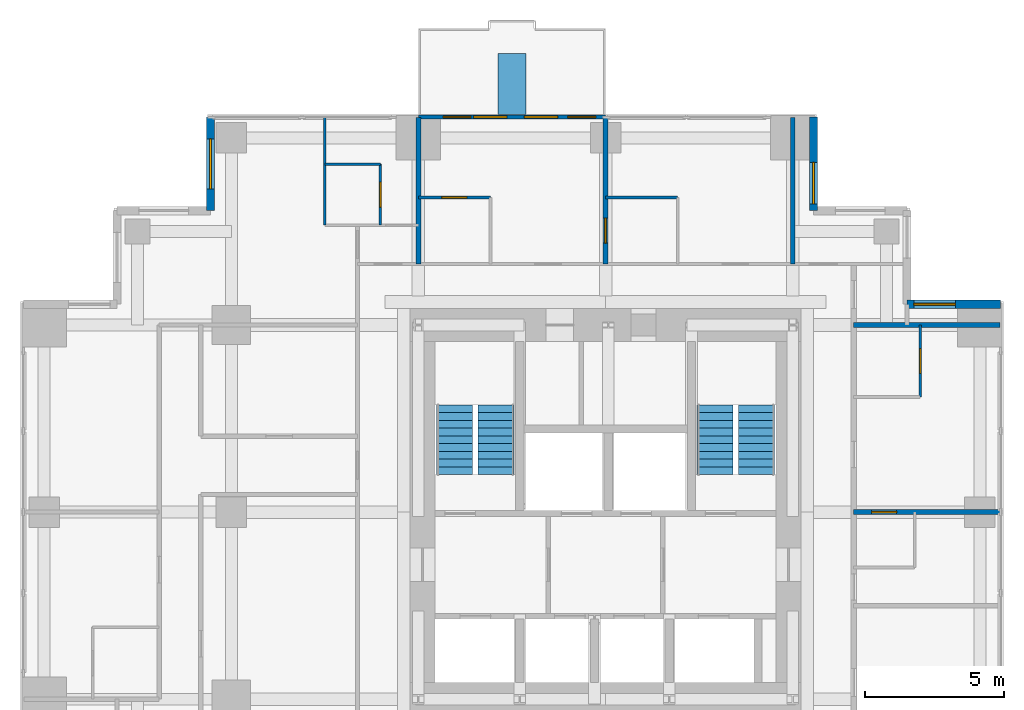
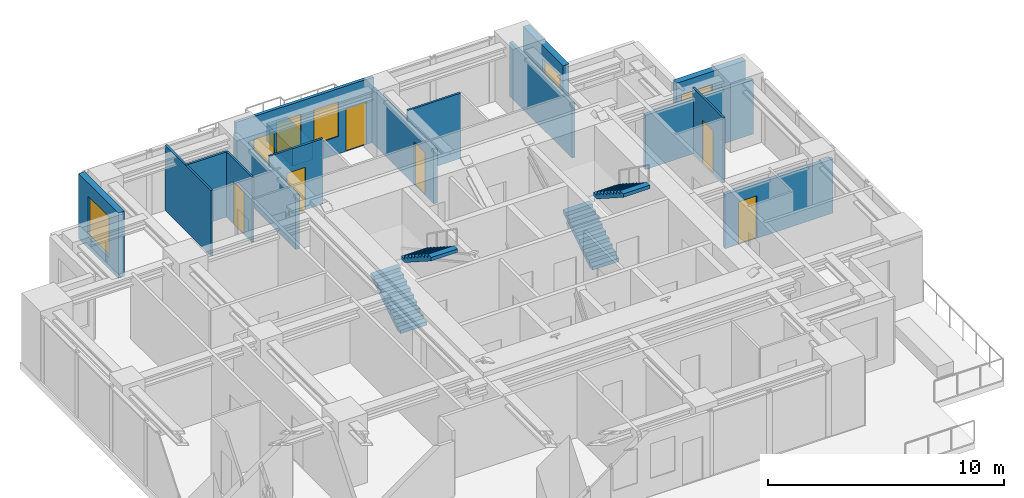
# One storey, part 6 of 7: 16 walls, 7 doors, 5 windows, 4 stair flights, 12 openings, 2 elements without a shape of their own.
"""IFC4 building model written with IfcOpenShell, lengths in metres."""

from ifc_helpers import new_model, si_unit, direction, frame, frame_2d, origin, place, context, subcontext, project, spatial, polyline, rectangle, outline, extrude, material, layer, layer_set, type_object, element, fill, aggregate, save


model = new_model("IFC4")

# Units and contexts
model_context = context("Model", 3, precision=1e-05, world=origin(), true_north=direction((0.0, 1.0)))
body_context = subcontext(model_context, "Body", "Model", "MODEL_VIEW")
ifc_project = project(units=[si_unit("LENGTHUNIT", "METRE"), si_unit("AREAUNIT", "SQUARE_METRE"), si_unit("VOLUMEUNIT", "CUBIC_METRE"), si_unit("PLANEANGLEUNIT", "RADIAN"), si_unit("MASSUNIT", "GRAM", prefix="KILO")], contexts=[model_context])

# Site, building, storey
site_placement = place(None, origin())
site = spatial("IfcSite", under=ifc_project, at=site_placement, CompositionType="ELEMENT")
building_placement = place(site_placement, origin())
building = spatial("IfcBuilding", under=site, at=building_placement, Name="Nyansa Garden Tower", CompositionType="ELEMENT")
storey_placement = place(building_placement, frame((0.0, 0.0, 204.300048828125)))
storey = spatial("IfcBuildingStorey", under=building, at=storey_placement, Name="L55", CompositionType="ELEMENT", Elevation=204.300048828125)

# Wall
ifc_material_1 = material(Name="Dense blockwork, plastered both sides, 55 dB", Category="masonry")
ifc_layer_1 = layer(ifc_material_1, 0.175048828125)
ifc_layer_set_1 = layer_set([ifc_layer_1], Name="Acoustic party wall PW175")
wall_type_1 = type_object("IfcWallType", Name="Acoustic party wall PW175", PredefinedType="PARTITIONING", material=ifc_layer_set_1)
wall_1_placement = place(storey_placement, frame((13.5, 29.199951171875, 0.0), z_axis=(0.0, 0.0, 1.0), x_axis=(0.0, 1.0, 0.0)))
element("IfcWall", 1, at=wall_1_placement, inside=storey, type_object=wall_type_1, Name="Party wall", PredefinedType="PARTITIONING", context=body_context, shape_type="SweptSolid", body=[
    extrude(rectangle(XDim=5.283935546875, YDim=0.175048828125, at=frame_2d((2.64208984375, 0.0))), origin(), (0.0, 0.0, 1.0), 2.805908203125),
])

# Wall, opening, door
wall_2_placement = place(storey_placement, frame((20.25, 29.199951171875, 0.0), z_axis=(0.0, 0.0, 1.0), x_axis=(0.0, 1.0, 0.0)))
wall_2 = element("IfcWall", 2, at=wall_2_placement, inside=storey, type_object=wall_type_1, Name="Party wall", PredefinedType="PARTITIONING", context=body_context, shape_type="SweptSolid", body=[
    extrude(rectangle(XDim=5.283935546875, YDim=0.175048828125, at=frame_2d((2.64208984375, 0.0))), origin(), (0.0, 0.0, 1.0), 2.805908203125),
])
opening_1_placement = place(wall_2_placement, frame((0.75, 0.0, 0.0)))
opening_1 = element("IfcOpeningElement", 3, at=opening_1_placement, cuts=wall_2, Name="Opening D02", PredefinedType="OPENING", context=body_context, shape_type="SweptSolid", body=[
    extrude(rectangle(XDim=0.89990234375, YDim=2.199951171875, at=frame_2d((0.449951171875, 1.10009765625))), frame((0.0, 0.097412109375, 0.0), z_axis=(0.0, -1.0, 0.0), x_axis=(1.0, 0.0, 0.0)), (0.0, 0.0, 1.0), 0.195068359375),
])
ifc_material_2 = material(Name="Timber flush door", Category="wood")
door_type_1 = type_object("IfcDoorType", Name="En-suite door D02 900x2200", OperationType="SINGLE_SWING_RIGHT", PredefinedType="DOOR", material=ifc_material_2)
door_1_placement = place(opening_1_placement, origin())
door_1 = element("IfcDoor", 4, at=door_1_placement, inside=storey, type_object=door_type_1, Name="Door L55-033", OperationType="SINGLE_SWING_RIGHT", OverallHeight=2.199951171875, OverallWidth=0.89990234375, PredefinedType="DOOR", context=body_context, shape_type="SweptSolid", body=[
    extrude(rectangle(XDim=0.89990234375, YDim=2.199951171875, at=frame_2d((0.449951171875, 1.10009765625))), frame((0.0, 0.02490234375, 0.0), z_axis=(0.0, -1.0, 0.0), x_axis=(1.0, 0.0, 0.0)), (0.0, 0.0, 1.0), 0.050048828125),
])
fill(opening_1, door_1)

wall_3_placement = place(storey_placement, frame((29.199951171875, 20.25, 0.0), z_axis=(0.0, 0.0, 1.0), x_axis=(1.0, 0.0, 0.0)))
wall_3 = element("IfcWall", 5, at=wall_3_placement, inside=storey, type_object=wall_type_1, Name="Party wall", PredefinedType="PARTITIONING", context=body_context, shape_type="SweptSolid", body=[
    extrude(rectangle(XDim=5.283935546875, YDim=0.175048828125, at=frame_2d((2.64208984375, 0.0))), origin(), (0.0, 0.0, 1.0), 2.805908203125),
])
opening_2_placement = place(wall_3_placement, frame((0.64990234375, 0.0, 0.0)))
opening_2 = element("IfcOpeningElement", 6, at=opening_2_placement, cuts=wall_3, Name="Opening D02", PredefinedType="OPENING", context=body_context, shape_type="SweptSolid", body=[
    extrude(rectangle(XDim=0.89990234375, YDim=2.199951171875, at=frame_2d((0.449951171875, 1.10009765625))), frame((0.0, 0.097412109375, 0.0), z_axis=(0.0, -1.0, 0.0), x_axis=(1.0, 0.0, 0.0)), (0.0, 0.0, 1.0), 0.195068359375),
])
door_2_placement = place(opening_2_placement, origin())
door_2 = element("IfcDoor", 7, at=door_2_placement, inside=storey, type_object=door_type_1, Name="Door L55-027", OperationType="SINGLE_SWING_RIGHT", OverallHeight=2.199951171875, OverallWidth=0.89990234375, PredefinedType="DOOR", context=body_context, shape_type="SweptSolid", body=[
    extrude(rectangle(XDim=0.89990234375, YDim=2.199951171875, at=frame_2d((0.449951171875, 1.10009765625))), frame((0.0, 0.02490234375, 0.0), z_axis=(0.0, -1.0, 0.0), x_axis=(1.0, 0.0, 0.0)), (0.0, 0.0, 1.0), 0.050048828125),
])
fill(opening_2, door_2)

# Wall
wall_4_placement = place(storey_placement, frame((29.199951171875, 27.0, 0.0), z_axis=(0.0, 0.0, 1.0), x_axis=(1.0, 0.0, 0.0)))
element("IfcWall", 8, at=wall_4_placement, inside=storey, type_object=wall_type_1, Name="Party wall", PredefinedType="PARTITIONING", context=body_context, shape_type="SweptSolid", body=[
    extrude(rectangle(XDim=5.283935546875, YDim=0.175048828125, at=frame_2d((2.64208984375, 0.0))), origin(), (0.0, 0.0, 1.0), 2.805908203125),
])

# Wall, openings, doors, windows
ifc_material_3 = material(Name="Black aluminium framed glazed screen", Category="aluminium")
ifc_layer_2 = layer(ifc_material_3, 0.14990234375)
ifc_layer_set_2 = layer_set([ifc_layer_2], Name="Balcony screen wall BW150")
wall_type_2 = type_object("IfcWallType", Name="Balcony screen wall BW150", PredefinedType="SOLIDWALL", material=ifc_layer_set_2)
wall_5_placement = place(storey_placement, frame((13.5, 34.5, 0.0), z_axis=(0.0, 0.0, 1.0), x_axis=(1.0, 0.0, 0.0)))
wall_5 = element("IfcWall", 9, at=wall_5_placement, inside=storey, type_object=wall_type_2, Name="Glazed screen wall L55 N", PredefinedType="SOLIDWALL", context=body_context, shape_type="SweptSolid", body=[
    extrude(rectangle(XDim=6.75, YDim=0.14990234375, at=frame_2d((3.375, 0.0))), origin(), (0.0, 0.0, 1.0), 3.375),
])
opening_3_placement = place(wall_5_placement, frame((0.895751953125, 0.0, 0.0)))
opening_3 = element("IfcOpeningElement", 10, at=opening_3_placement, cuts=wall_5, Name="Opening D20", PredefinedType="OPENING", context=body_context, shape_type="SweptSolid", body=[
    extrude(rectangle(XDim=1.0, YDim=2.199951171875, at=frame_2d((0.5, 1.10009765625))), frame((0.0, 0.0849609375, 0.0), z_axis=(0.0, -1.0, 0.0), x_axis=(1.0, 0.0, 0.0)), (0.0, 0.0, 1.0), 0.169921875),
])
opening_4_placement = place(wall_5_placement, frame((1.99169921875, 0.0, 0.89990234375)))
opening_4 = element("IfcOpeningElement", 11, at=opening_4_placement, cuts=wall_5, Name="Opening W6", PredefinedType="OPENING", context=body_context, shape_type="SweptSolid", body=[
    extrude(rectangle(XDim=1.199951171875, YDim=1.800048828125, at=frame_2d((0.60009765625, 0.89990234375))), frame((0.0, 0.0849609375, 0.0), z_axis=(0.0, -1.0, 0.0), x_axis=(1.0, 0.0, 0.0)), (0.0, 0.0, 1.0), 0.169921875),
])
opening_5_placement = place(wall_5_placement, frame((5.387451171875, 0.0, 0.0)))
opening_5 = element("IfcOpeningElement", 12, at=opening_5_placement, cuts=wall_5, Name="Opening D20", PredefinedType="OPENING", context=body_context, shape_type="SweptSolid", body=[
    extrude(rectangle(XDim=1.0, YDim=2.199951171875, at=frame_2d((0.5, 1.10009765625))), frame((0.0, 0.0849609375, 0.0), z_axis=(0.0, -1.0, 0.0), x_axis=(1.0, 0.0, 0.0)), (0.0, 0.0, 1.0), 0.169921875),
])
opening_6_placement = place(wall_5_placement, frame((3.824951171875, 0.0, 0.89990234375)))
opening_6 = element("IfcOpeningElement", 13, at=opening_6_placement, cuts=wall_5, Name="Opening W6", PredefinedType="OPENING", context=body_context, shape_type="SweptSolid", body=[
    extrude(rectangle(XDim=1.199951171875, YDim=1.800048828125, at=frame_2d((0.60009765625, 0.89990234375))), frame((0.0, 0.0849609375, 0.0), z_axis=(0.0, -1.0, 0.0), x_axis=(1.0, 0.0, 0.0)), (0.0, 0.0, 1.0), 0.169921875),
])
ifc_material_4 = material(Name="Black aluminium framed glazed door", Category="aluminium")
door_type_2 = type_object("IfcDoorType", Name="Balcony door D20 1000x2200", OperationType="NOTDEFINED", PredefinedType="DOOR", material=ifc_material_4)
door_3_placement = place(opening_3_placement, origin())
door_3 = element("IfcDoor", 14, at=door_3_placement, inside=storey, type_object=door_type_2, Name="Balcony door L55", OperationType="SINGLE_SWING_LEFT", OverallHeight=2.199951171875, OverallWidth=1.0, PredefinedType="DOOR", context=body_context, shape_type="SweptSolid", body=[
    extrude(rectangle(XDim=1.0, YDim=2.199951171875, at=frame_2d((0.5, 1.10009765625))), frame((0.0, 0.02490234375, 0.0), z_axis=(0.0, -1.0, 0.0), x_axis=(1.0, 0.0, 0.0)), (0.0, 0.0, 1.0), 0.050048828125),
])
fill(opening_3, door_3)
door_4_placement = place(opening_5_placement, origin())
door_4 = element("IfcDoor", 15, at=door_4_placement, inside=storey, type_object=door_type_2, Name="Balcony door L55", OperationType="SINGLE_SWING_RIGHT", OverallHeight=2.199951171875, OverallWidth=1.0, PredefinedType="DOOR", context=body_context, shape_type="SweptSolid", body=[
    extrude(rectangle(XDim=1.0, YDim=2.199951171875, at=frame_2d((0.5, 1.10009765625))), frame((0.0, 0.02490234375, 0.0), z_axis=(0.0, -1.0, 0.0), x_axis=(1.0, 0.0, 0.0)), (0.0, 0.0, 1.0), 0.050048828125),
])
fill(opening_5, door_4)
ifc_material_5 = material(Name="Black aluminium frame, dark tinted double glazing", Category="aluminium")
window_type_1 = type_object("IfcWindowType", Name="Balcony window W6 1200x1800", PartitioningType="SINGLE_PANEL", PredefinedType="WINDOW", material=ifc_material_5)
window_1_placement = place(opening_4_placement, origin())
window_1 = element("IfcWindow", 16, at=window_1_placement, inside=storey, type_object=window_type_1, Name="Window L55", OverallHeight=1.800048828125, OverallWidth=1.199951171875, PartitioningType="SINGLE_PANEL", PredefinedType="WINDOW", context=body_context, shape_type="SweptSolid", body=[
    extrude(rectangle(XDim=1.199951171875, YDim=1.800048828125, at=frame_2d((0.60009765625, 0.89990234375))), frame((0.0, 0.030029296875, 0.0), z_axis=(0.0, -1.0, 0.0), x_axis=(1.0, 0.0, 0.0)), (0.0, 0.0, 1.0), 0.06005859375),
])
fill(opening_4, window_1)
window_2_placement = place(opening_6_placement, origin())
window_2 = element("IfcWindow", 17, at=window_2_placement, inside=storey, type_object=window_type_1, Name="Window L55", OverallHeight=1.800048828125, OverallWidth=1.199951171875, PartitioningType="SINGLE_PANEL", PredefinedType="WINDOW", context=body_context, shape_type="SweptSolid", body=[
    extrude(rectangle(XDim=1.199951171875, YDim=1.800048828125, at=frame_2d((0.60009765625, 0.89990234375))), frame((0.0, 0.030029296875, 0.0), z_axis=(0.0, -1.0, 0.0), x_axis=(1.0, 0.0, 0.0)), (0.0, 0.0, 1.0), 0.06005859375),
])
fill(opening_6, window_2)

# Wall
ifc_material_6 = material(Name="Blockwork, plastered both sides", Category="masonry")
ifc_layer_3 = layer(ifc_material_6, 0.14990234375)
ifc_layer_set_3 = layer_set([ifc_layer_3], Name="Partition PW150")
wall_type_3 = type_object("IfcWallType", Name="Partition PW150", PredefinedType="PARTITIONING", material=ifc_layer_set_3)
wall_6_placement = place(storey_placement, frame((27.0, 29.199951171875, 0.0), z_axis=(0.0, 0.0, 1.0), x_axis=(0.0, 1.0, 0.0)))
element("IfcWall", 18, at=wall_6_placement, inside=storey, type_object=wall_type_3, Name="Partition", PredefinedType="PARTITIONING", context=body_context, shape_type="SweptSolid", body=[
    extrude(rectangle(XDim=5.283935546875, YDim=0.14990234375, at=frame_2d((2.64208984375, 0.0))), origin(), (0.0, 0.0, 1.0), 2.805908203125),
])

# Wall, opening, window
ifc_material_7 = material(Name="Turquoise glazed tile on concrete blockwork", Category="masonry")
ifc_layer_4 = layer(ifc_material_7, 0.300048828125)
ifc_layer_set_4 = layer_set([ifc_layer_4], Name="Tiled corner wall TW300")
wall_type_4 = type_object("IfcWallType", Name="Tiled corner wall TW300", PredefinedType="SOLIDWALL", material=ifc_layer_set_4)
wall_7_placement = place(storey_placement, frame((34.5, 27.75, 0.0), z_axis=(0.0, 0.0, 1.0), x_axis=(-1.0, 0.0, 0.0)))
wall_7 = element("IfcWall", 19, at=wall_7_placement, inside=storey, type_object=wall_type_4, Name="Tiled corner wall L55", PredefinedType="SOLIDWALL", context=body_context, shape_type="SweptSolid", body=[
    extrude(rectangle(XDim=3.375, YDim=0.300048828125, at=frame_2d((1.6875, 0.0))), origin(), (0.0, 0.0, 1.0), 3.375),
])
opening_7_placement = place(wall_7_placement, frame((1.632568359375, 0.0, 0.89990234375)))
opening_7 = element("IfcOpeningElement", 20, at=opening_7_placement, cuts=wall_7, Name="Opening W1", PredefinedType="OPENING", context=body_context, shape_type="SweptSolid", body=[
    extrude(rectangle(XDim=1.5, YDim=1.800048828125, at=frame_2d((0.75, 0.89990234375))), frame((0.0, 0.159912109375, 0.0), z_axis=(0.0, -1.0, 0.0), x_axis=(1.0, 0.0, 0.0)), (0.0, 0.0, 1.0), 0.320068359375),
])
ifc_material_8 = material(Name="Black aluminium frame, dark tinted double glazing", Category="aluminium")
window_type_2 = type_object("IfcWindowType", Name="Window W1 1500x1800", PartitioningType="SINGLE_PANEL", PredefinedType="WINDOW", material=ifc_material_8)
window_3_placement = place(opening_7_placement, origin())
window_3 = element("IfcWindow", 21, at=window_3_placement, inside=storey, type_object=window_type_2, Name="Corner window L55", OverallHeight=1.800048828125, OverallWidth=1.5, PartitioningType="SINGLE_PANEL", PredefinedType="WINDOW", context=body_context, shape_type="SweptSolid", body=[
    extrude(rectangle(XDim=1.5, YDim=1.800048828125, at=frame_2d((0.75, 0.89990234375))), frame((0.0, 0.030029296875, 0.0), z_axis=(0.0, -1.0, 0.0), x_axis=(1.0, 0.0, 0.0)), (0.0, 0.0, 1.0), 0.06005859375),
])
fill(opening_7, window_3)

wall_8_placement = place(storey_placement, frame((27.75, 31.125, 0.0), z_axis=(0.0, 0.0, 1.0), x_axis=(0.0, 1.0, 0.0)))
wall_8 = element("IfcWall", 22, at=wall_8_placement, inside=storey, type_object=wall_type_4, Name="Tiled corner wall L55", PredefinedType="SOLIDWALL", context=body_context, shape_type="SweptSolid", body=[
    extrude(rectangle(XDim=3.375, YDim=0.300048828125, at=frame_2d((1.6875, 0.0))), origin(), (0.0, 0.0, 1.0), 3.375),
])
opening_8_placement = place(wall_8_placement, frame((0.242431640625, 0.0, 0.89990234375)))
opening_8 = element("IfcOpeningElement", 23, at=opening_8_placement, cuts=wall_8, Name="Opening W1", PredefinedType="OPENING", context=body_context, shape_type="SweptSolid", body=[
    extrude(rectangle(XDim=1.5, YDim=1.800048828125, at=frame_2d((0.75, 0.89990234375))), frame((0.0, 0.159912109375, 0.0), z_axis=(0.0, -1.0, 0.0), x_axis=(1.0, 0.0, 0.0)), (0.0, 0.0, 1.0), 0.320068359375),
])
window_4_placement = place(opening_8_placement, origin())
window_4 = element("IfcWindow", 24, at=window_4_placement, inside=storey, type_object=window_type_2, Name="Corner window L55", OverallHeight=1.800048828125, OverallWidth=1.5, PartitioningType="SINGLE_PANEL", PredefinedType="WINDOW", context=body_context, shape_type="SweptSolid", body=[
    extrude(rectangle(XDim=1.5, YDim=1.800048828125, at=frame_2d((0.75, 0.89990234375))), frame((0.0, 0.030029296875, 0.0), z_axis=(0.0, -1.0, 0.0), x_axis=(1.0, 0.0, 0.0)), (0.0, 0.0, 1.0), 0.06005859375),
])
fill(opening_8, window_4)

wall_9_placement = place(storey_placement, frame((6.0, 34.5, 0.0), z_axis=(0.0, 0.0, 1.0), x_axis=(0.0, -1.0, 0.0)))
wall_9 = element("IfcWall", 25, at=wall_9_placement, inside=storey, type_object=wall_type_4, Name="Tiled corner wall L55", PredefinedType="SOLIDWALL", context=body_context, shape_type="SweptSolid", body=[
    extrude(rectangle(XDim=3.375, YDim=0.300048828125, at=frame_2d((1.6875, 0.0))), origin(), (0.0, 0.0, 1.0), 3.375),
])
opening_9_placement = place(wall_9_placement, frame((0.78759765625, 0.0, 0.60009765625)))
opening_9 = element("IfcOpeningElement", 26, at=opening_9_placement, cuts=wall_9, Name="Opening W2", PredefinedType="OPENING", context=body_context, shape_type="SweptSolid", body=[
    extrude(rectangle(XDim=1.800048828125, YDim=2.10009765625, at=frame_2d((0.89990234375, 1.050048828125))), frame((0.0, 0.159912109375, 0.0), z_axis=(0.0, -1.0, 0.0), x_axis=(1.0, 0.0, 0.0)), (0.0, 0.0, 1.0), 0.320068359375),
])
ifc_material_9 = material(Name="Black aluminium frame, dark tinted double glazing", Category="aluminium")
window_type_3 = type_object("IfcWindowType", Name="Window W2 1800x2100", PartitioningType="SINGLE_PANEL", PredefinedType="WINDOW", material=ifc_material_9)
window_5_placement = place(opening_9_placement, origin())
window_5 = element("IfcWindow", 27, at=window_5_placement, inside=storey, type_object=window_type_3, Name="Corner window L55", OverallHeight=2.10009765625, OverallWidth=1.800048828125, PartitioningType="SINGLE_PANEL", PredefinedType="WINDOW", context=body_context, shape_type="SweptSolid", body=[
    extrude(rectangle(XDim=1.800048828125, YDim=2.10009765625, at=frame_2d((0.89990234375, 1.050048828125))), frame((0.0, 0.030029296875, 0.0), z_axis=(0.0, -1.0, 0.0), x_axis=(1.0, 0.0, 0.0)), (0.0, 0.0, 1.0), 0.06005859375),
])
fill(opening_9, window_5)

# Walls
ifc_material_10 = material(Name="Concrete C40/50 planter, waterproofed", Category="concrete")
ifc_layer_5 = layer(ifc_material_10, 1.0)
ifc_layer_set_5 = layer_set([ifc_layer_5], Name="Tree planter TP1")
wall_type_5 = type_object("IfcWallType", Name="Tree planter TP1", PredefinedType="USERDEFINED", material=ifc_layer_set_5)
wall_10_placement = place(storey_placement, frame((16.875, 34.60009765625, 0.0), z_axis=(0.0, 0.0, 1.0), x_axis=(0.0, 1.0, 0.0)))
element("IfcWall", 28, at=wall_10_placement, inside=storey, type_object=wall_type_5, Name="Tree planter L55", ObjectType="TREE PLANTER", PredefinedType="USERDEFINED", context=body_context, shape_type="SweptSolid", body=[
    extrude(rectangle(XDim=2.199951171875, YDim=1.0, at=frame_2d((1.10009765625, 0.0))), origin(), (0.0, 0.0, 1.0), 0.89990234375),
])
ifc_material_11 = material(Name="Moisture resistant board on steel studs, tiled", Category="steel")
ifc_layer_6 = layer(ifc_material_11, 0.10009765625)
ifc_layer_set_6 = layer_set([ifc_layer_6], Name="Wet wall PW100")
wall_type_6 = type_object("IfcWallType", Name="Wet wall PW100", PredefinedType="PARTITIONING", material=ifc_layer_set_6)
wall_11_placement = place(storey_placement, frame((10.125, 30.60009765625, 0.0), z_axis=(0.0, 0.0, 1.0), x_axis=(0.0, 1.0, 0.0)))
element("IfcWall", 29, at=wall_11_placement, inside=storey, type_object=wall_type_6, Name="Wet wall", PredefinedType="PARTITIONING", context=body_context, shape_type="SweptSolid", body=[
    extrude(rectangle(XDim=3.8837890625, YDim=0.10009765625, at=frame_2d((1.94189453125, 0.0))), origin(), (0.0, 0.0, 1.0), 3.375),
])
wall_12_placement = place(storey_placement, frame((10.125, 32.800048828125, 0.0), z_axis=(0.0, 0.0, 1.0), x_axis=(1.0, 0.0, 0.0)))
element("IfcWall", 30, at=wall_12_placement, inside=storey, type_object=wall_type_6, Name="Wet wall", PredefinedType="PARTITIONING", context=body_context, shape_type="SweptSolid", body=[
    extrude(rectangle(XDim=2.0, YDim=0.10009765625, at=frame_2d((1.0, 0.0))), origin(), (0.0, 0.0, 1.0), 3.375),
])

# Wall, opening, door
wall_13_placement = place(storey_placement, frame((12.125, 30.60009765625, 0.0), z_axis=(0.0, 0.0, 1.0), x_axis=(0.0, 1.0, 0.0)))
wall_13 = element("IfcWall", 31, at=wall_13_placement, inside=storey, type_object=wall_type_6, Name="Wet wall", PredefinedType="PARTITIONING", context=body_context, shape_type="SweptSolid", body=[
    extrude(rectangle(XDim=2.199951171875, YDim=0.10009765625, at=frame_2d((1.10009765625, 0.0))), origin(), (0.0, 0.0, 1.0), 3.375),
])
opening_10_placement = place(wall_13_placement, frame((0.64990234375, 0.0, 0.0)))
opening_10 = element("IfcOpeningElement", 32, at=opening_10_placement, cuts=wall_13, Name="Opening D02", PredefinedType="OPENING", context=body_context, shape_type="SweptSolid", body=[
    extrude(rectangle(XDim=0.89990234375, YDim=2.199951171875, at=frame_2d((0.449951171875, 1.10009765625))), frame((0.0, 0.06005859375, 0.0), z_axis=(0.0, -1.0, 0.0), x_axis=(1.0, 0.0, 0.0)), (0.0, 0.0, 1.0), 0.1201171875),
])
door_5_placement = place(opening_10_placement, origin())
door_5 = element("IfcDoor", 33, at=door_5_placement, inside=storey, type_object=door_type_1, Name="Door L55-035", OperationType="SINGLE_SWING_RIGHT", OverallHeight=2.199951171875, OverallWidth=0.89990234375, PredefinedType="DOOR", context=body_context, shape_type="SweptSolid", body=[
    extrude(rectangle(XDim=0.89990234375, YDim=2.199951171875, at=frame_2d((0.449951171875, 1.10009765625))), frame((0.0, 0.02490234375, 0.0), z_axis=(0.0, -1.0, 0.0), x_axis=(1.0, 0.0, 0.0)), (0.0, 0.0, 1.0), 0.050048828125),
])
fill(opening_10, door_5)

wall_14_placement = place(storey_placement, frame((13.5, 31.60009765625, 0.0), z_axis=(0.0, 0.0, 1.0), x_axis=(1.0, 0.0, 0.0)))
wall_14 = element("IfcWall", 34, at=wall_14_placement, inside=storey, type_object=wall_type_6, Name="Wet wall", PredefinedType="PARTITIONING", context=body_context, shape_type="SweptSolid", body=[
    extrude(rectangle(XDim=2.60009765625, YDim=0.10009765625, at=frame_2d((1.300048828125, 0.0))), origin(), (0.0, 0.0, 1.0), 3.375),
])
opening_11_placement = place(wall_14_placement, frame((0.85009765625, 0.0, 0.0)))
opening_11 = element("IfcOpeningElement", 35, at=opening_11_placement, cuts=wall_14, Name="Opening D02", PredefinedType="OPENING", context=body_context, shape_type="SweptSolid", body=[
    extrude(rectangle(XDim=0.89990234375, YDim=2.199951171875, at=frame_2d((0.449951171875, 1.10009765625))), frame((0.0, 0.06005859375, 0.0), z_axis=(0.0, -1.0, 0.0), x_axis=(1.0, 0.0, 0.0)), (0.0, 0.0, 1.0), 0.1201171875),
])
door_6_placement = place(opening_11_placement, origin())
door_6 = element("IfcDoor", 36, at=door_6_placement, inside=storey, type_object=door_type_1, Name="Door L55-031", OperationType="SINGLE_SWING_RIGHT", OverallHeight=2.199951171875, OverallWidth=0.89990234375, PredefinedType="DOOR", context=body_context, shape_type="SweptSolid", body=[
    extrude(rectangle(XDim=0.89990234375, YDim=2.199951171875, at=frame_2d((0.449951171875, 1.10009765625))), frame((0.0, 0.02490234375, 0.0), z_axis=(0.0, -1.0, 0.0), x_axis=(1.0, 0.0, 0.0)), (0.0, 0.0, 1.0), 0.050048828125),
])
fill(opening_11, door_6)

# Wall
wall_15_placement = place(storey_placement, frame((20.25, 31.60009765625, 0.0), z_axis=(0.0, 0.0, 1.0), x_axis=(1.0, 0.0, 0.0)))
element("IfcWall", 37, at=wall_15_placement, inside=storey, type_object=wall_type_6, Name="Wet wall", PredefinedType="PARTITIONING", context=body_context, shape_type="SweptSolid", body=[
    extrude(rectangle(XDim=2.60009765625, YDim=0.10009765625, at=frame_2d((1.300048828125, 0.0))), origin(), (0.0, 0.0, 1.0), 3.375),
])

# Wall, opening, door
wall_16_placement = place(storey_placement, frame((31.60009765625, 24.39990234375, 0.0), z_axis=(0.0, 0.0, 1.0), x_axis=(0.0, 1.0, 0.0)))
wall_16 = element("IfcWall", 38, at=wall_16_placement, inside=storey, type_object=wall_type_6, Name="Wet wall", PredefinedType="PARTITIONING", context=body_context, shape_type="SweptSolid", body=[
    extrude(rectangle(XDim=2.60009765625, YDim=0.10009765625, at=frame_2d((1.300048828125, 0.0))), origin(), (0.0, 0.0, 1.0), 3.375),
])
opening_12_placement = place(wall_16_placement, frame((0.85009765625, 0.0, 0.0)))
opening_12 = element("IfcOpeningElement", 39, at=opening_12_placement, cuts=wall_16, Name="Opening D02", PredefinedType="OPENING", context=body_context, shape_type="SweptSolid", body=[
    extrude(rectangle(XDim=0.89990234375, YDim=2.199951171875, at=frame_2d((0.449951171875, 1.10009765625))), frame((0.0, 0.06005859375, 0.0), z_axis=(0.0, -1.0, 0.0), x_axis=(1.0, 0.0, 0.0)), (0.0, 0.0, 1.0), 0.1201171875),
])
door_7_placement = place(opening_12_placement, origin())
door_7 = element("IfcDoor", 40, at=door_7_placement, inside=storey, type_object=door_type_1, Name="Door L55-025", OperationType="SINGLE_SWING_RIGHT", OverallHeight=2.199951171875, OverallWidth=0.89990234375, PredefinedType="DOOR", context=body_context, shape_type="SweptSolid", body=[
    extrude(rectangle(XDim=0.89990234375, YDim=2.199951171875, at=frame_2d((0.449951171875, 1.10009765625))), frame((0.0, 0.02490234375, 0.0), z_axis=(0.0, -1.0, 0.0), x_axis=(1.0, 0.0, 0.0)), (0.0, 0.0, 1.0), 0.050048828125),
])
fill(opening_12, door_7)

# Stair, stair flights
ifc_material_12 = material(Name="Precast concrete C40/50", Category="concrete")
stair_type_1 = type_object("IfcStairType", Name="Stair S1 180x280", PredefinedType="HALF_TURN_STAIR", material=ifc_material_12)
stair_1_placement = place(storey_placement, origin())
stair_1 = element("IfcStair", 41, at=stair_1_placement, inside=storey, type_object=stair_type_1, Name="Stair S1 L55", PredefinedType="HALF_TURN_STAIR")
ifc_material_13 = material(Name="Precast concrete C40/50", Category="concrete")
stair_flight_type_1 = type_object("IfcStairFlightType", Name="Stair flight S1 180x280x10", PredefinedType="STRAIGHT", material=ifc_material_13)
stair_flight_1_placement = place(storey_placement, frame((14.800048828125, 21.60009765625, 0.0), z_axis=(0.0, 0.0, 1.0), x_axis=(0.0, 1.0, 0.0)))
stair_flight_1 = element("IfcStairFlight", 42, at=stair_flight_1_placement, type_object=stair_flight_type_1, Name="S1 flight 1", NumberOfRisers=10, NumberOfTreads=9, PredefinedType="STRAIGHT", RiserHeight=0.18, TreadLength=0.28, context=body_context, shape_type="SweptSolid", body=[
    extrude(outline(polyline([(0.0, 0.0), (0.0, 0.179931640625), (0.280029296875, 0.179931640625), (0.280029296875, 0.360107421875), (0.56005859375, 0.360107421875), (0.56005859375, 0.5400390625), (0.840087890625, 0.5400390625), (0.840087890625, 0.719970703125), (1.1201171875, 0.719970703125), (1.1201171875, 0.89990234375), (1.39990234375, 0.89990234375), (1.39990234375, 1.080078125), (1.679931640625, 1.080078125), (1.679931640625, 1.260009765625), (1.9599609375, 1.260009765625), (1.9599609375, 1.43994140625), (2.239990234375, 1.43994140625), (2.239990234375, 1.6201171875), (2.52001953125, 1.6201171875), (2.52001953125, 1.800048828125), (2.52001953125, 1.44189453125), (0.277099609375, 0.0), (0.0, 0.0)])), frame((0.0, 0.64990234375, 0.0), z_axis=(0.0, -1.0, 0.0), x_axis=(1.0, 0.0, 0.0)), (0.0, 0.0, 1.0), 1.300048828125),
])
stair_flight_2_placement = place(storey_placement, frame((16.300048828125, 24.1201171875, 1.800048828125), z_axis=(0.0, 0.0, 1.0), x_axis=(0.0, -1.0, 0.0)))
stair_flight_2 = element("IfcStairFlight", 43, at=stair_flight_2_placement, type_object=stair_flight_type_1, Name="S1 flight 2", NumberOfRisers=10, NumberOfTreads=9, PredefinedType="STRAIGHT", RiserHeight=0.18, TreadLength=0.28, context=body_context, shape_type="SweptSolid", body=[
    extrude(outline(polyline([(0.0, 0.0), (0.0, 0.179931640625), (0.280029296875, 0.179931640625), (0.280029296875, 0.360107421875), (0.56005859375, 0.360107421875), (0.56005859375, 0.5400390625), (0.840087890625, 0.5400390625), (0.840087890625, 0.719970703125), (1.1201171875, 0.719970703125), (1.1201171875, 0.89990234375), (1.39990234375, 0.89990234375), (1.39990234375, 1.080078125), (1.679931640625, 1.080078125), (1.679931640625, 1.260009765625), (1.9599609375, 1.260009765625), (1.9599609375, 1.43994140625), (2.239990234375, 1.43994140625), (2.239990234375, 1.6201171875), (2.52001953125, 1.6201171875), (2.52001953125, 1.800048828125), (2.52001953125, 1.44189453125), (0.277099609375, 0.0), (0.0, 0.0)])), frame((0.0, 0.64990234375, 0.0), z_axis=(0.0, -1.0, 0.0), x_axis=(1.0, 0.0, 0.0)), (0.0, 0.0, 1.0), 1.300048828125),
])
aggregate(stair_1, [stair_flight_1, stair_flight_2])

ifc_material_14 = material(Name="Precast concrete C40/50", Category="concrete")
stair_type_2 = type_object("IfcStairType", Name="Stair S2 180x280", PredefinedType="HALF_TURN_STAIR", material=ifc_material_14)
stair_2_placement = place(storey_placement, origin())
stair_2 = element("IfcStair", 44, at=stair_2_placement, inside=storey, type_object=stair_type_2, Name="Stair S2 L55", PredefinedType="HALF_TURN_STAIR")
ifc_material_15 = material(Name="Precast concrete C40/50", Category="concrete")
stair_flight_type_2 = type_object("IfcStairFlightType", Name="Stair flight S2 180x280x10", PredefinedType="STRAIGHT", material=ifc_material_15)
stair_flight_3_placement = place(storey_placement, frame((24.199951171875, 21.60009765625, 0.0), z_axis=(0.0, 0.0, 1.0), x_axis=(0.0, 1.0, 0.0)))
stair_flight_3 = element("IfcStairFlight", 45, at=stair_flight_3_placement, type_object=stair_flight_type_2, Name="S2 flight 1", NumberOfRisers=10, NumberOfTreads=9, PredefinedType="STRAIGHT", RiserHeight=0.18, TreadLength=0.28, context=body_context, shape_type="SweptSolid", body=[
    extrude(outline(polyline([(0.0, 0.0), (0.0, 0.179931640625), (0.280029296875, 0.179931640625), (0.280029296875, 0.360107421875), (0.56005859375, 0.360107421875), (0.56005859375, 0.5400390625), (0.840087890625, 0.5400390625), (0.840087890625, 0.719970703125), (1.1201171875, 0.719970703125), (1.1201171875, 0.89990234375), (1.39990234375, 0.89990234375), (1.39990234375, 1.080078125), (1.679931640625, 1.080078125), (1.679931640625, 1.260009765625), (1.9599609375, 1.260009765625), (1.9599609375, 1.43994140625), (2.239990234375, 1.43994140625), (2.239990234375, 1.6201171875), (2.52001953125, 1.6201171875), (2.52001953125, 1.800048828125), (2.52001953125, 1.44189453125), (0.277099609375, 0.0), (0.0, 0.0)])), frame((0.0, 0.64990234375, 0.0), z_axis=(0.0, -1.0, 0.0), x_axis=(1.0, 0.0, 0.0)), (0.0, 0.0, 1.0), 1.300048828125),
])
stair_flight_4_placement = place(storey_placement, frame((25.699951171875, 24.1201171875, 1.800048828125), z_axis=(0.0, 0.0, 1.0), x_axis=(0.0, -1.0, 0.0)))
stair_flight_4 = element("IfcStairFlight", 46, at=stair_flight_4_placement, type_object=stair_flight_type_2, Name="S2 flight 2", NumberOfRisers=10, NumberOfTreads=9, PredefinedType="STRAIGHT", RiserHeight=0.18, TreadLength=0.28, context=body_context, shape_type="SweptSolid", body=[
    extrude(outline(polyline([(0.0, 0.0), (0.0, 0.179931640625), (0.280029296875, 0.179931640625), (0.280029296875, 0.360107421875), (0.56005859375, 0.360107421875), (0.56005859375, 0.5400390625), (0.840087890625, 0.5400390625), (0.840087890625, 0.719970703125), (1.1201171875, 0.719970703125), (1.1201171875, 0.89990234375), (1.39990234375, 0.89990234375), (1.39990234375, 1.080078125), (1.679931640625, 1.080078125), (1.679931640625, 1.260009765625), (1.9599609375, 1.260009765625), (1.9599609375, 1.43994140625), (2.239990234375, 1.43994140625), (2.239990234375, 1.6201171875), (2.52001953125, 1.6201171875), (2.52001953125, 1.800048828125), (2.52001953125, 1.44189453125), (0.277099609375, 0.0), (0.0, 0.0)])), frame((0.0, 0.64990234375, 0.0), z_axis=(0.0, -1.0, 0.0), x_axis=(1.0, 0.0, 0.0)), (0.0, 0.0, 1.0), 1.300048828125),
])
aggregate(stair_2, [stair_flight_3, stair_flight_4])

save(model, "model.ifc")
